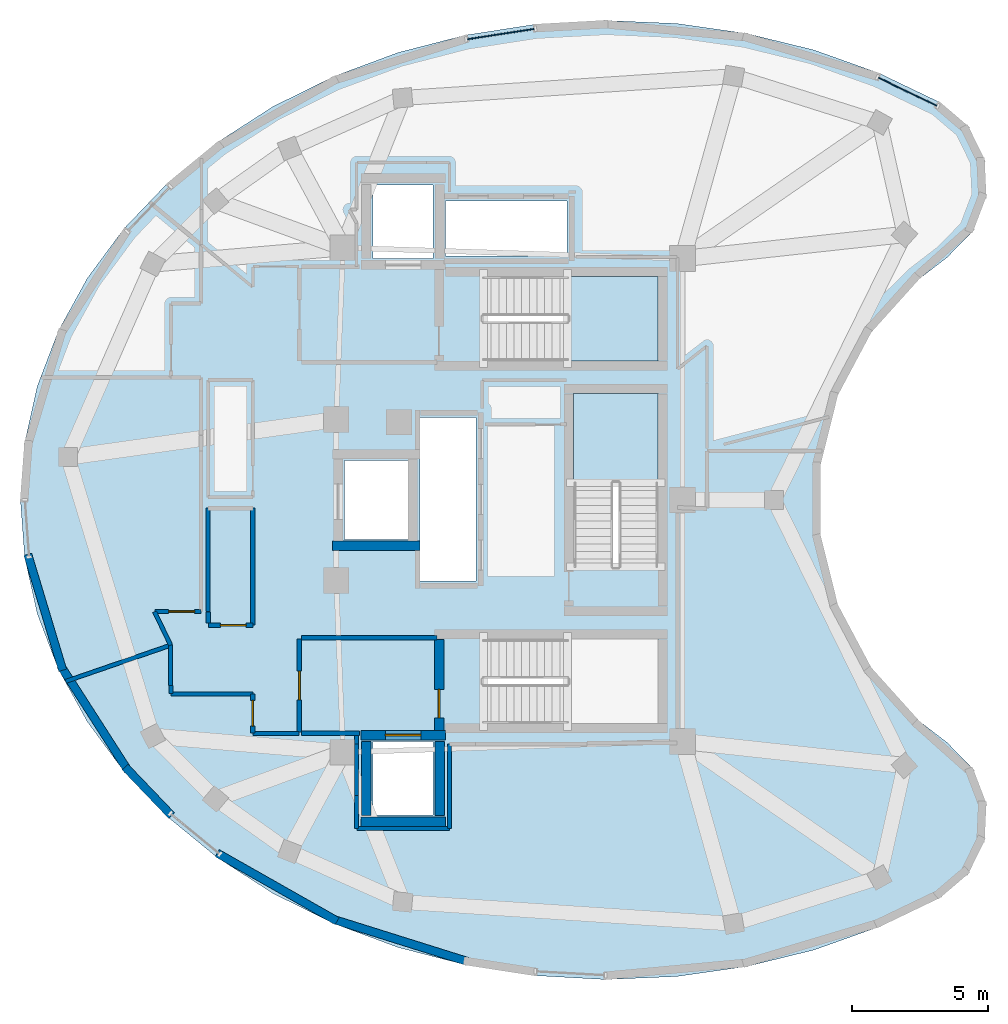
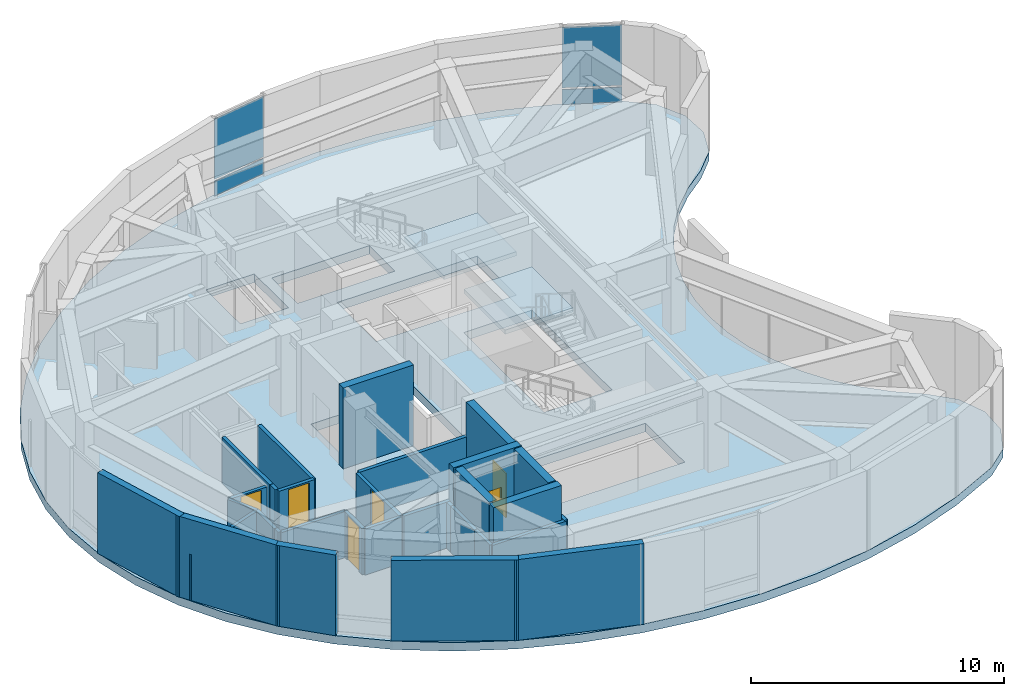
# One storey, part 3 of 8: 31 walls, 6 doors, 4 plates, 3 slabs, 6 openings, 4 elements without a shape of their own.
"""IFC4 building model written with IfcOpenShell, lengths in metres."""

from ifc_helpers import new_model, si_unit, direction, frame, frame_2d, origin, origin_2d, place, context, subcontext, project, spatial, polyline, rectangle, outline, extrude, material, layer, layer_set, type_object, element, fill, aggregate, save


model = new_model("IFC4")

# Units and contexts
model_context = context("Model", 3, precision=1e-05, world=origin(), true_north=direction((0.0, 1.0)))
body_context = subcontext(model_context, "Body", "Model", "MODEL_VIEW")
ifc_project = project(units=[si_unit("LENGTHUNIT", "METRE"), si_unit("AREAUNIT", "SQUARE_METRE"), si_unit("VOLUMEUNIT", "CUBIC_METRE"), si_unit("PLANEANGLEUNIT", "RADIAN"), si_unit("MASSUNIT", "GRAM", prefix="KILO")], contexts=[model_context])

# Site, building, storey
site_placement = place(None, origin())
site = spatial("IfcSite", under=ifc_project, at=site_placement, CompositionType="ELEMENT")
building_placement = place(site_placement, origin())
building = spatial("IfcBuilding", under=site, at=building_placement, Name="Korentha Bioscience Tower", CompositionType="ELEMENT")
storey_placement = place(building_placement, frame((0.0, 0.0, 322.800048828125)))
storey = spatial("IfcBuildingStorey", under=building, at=storey_placement, Name="L74", CompositionType="ELEMENT", Elevation=322.800048828125)

# Curtain wall, plates
ifc_material_1 = material(Name="Structural Silicone Glazed Aluminium", Category="aluminium")
ifc_layer_1 = layer(ifc_material_1, 0.219970703125, Name="Structural Silicone Glazed Aluminium")
ifc_layer_set_1 = layer_set([ifc_layer_1], Name="Structural Silicone Glazed Aluminium (CW-O1)")
curtain_wall_type = type_object("IfcCurtainWallType", Name="Sky Observatory Acoustic Curtain Wall CW-O1", PredefinedType="USERDEFINED", material=ifc_layer_set_1)
curtain_wall_1_placement = place(storey_placement, origin())
curtain_wall_1 = element("IfcCurtainWall", 1, at=curtain_wall_1_placement, inside=storey, type_object=curtain_wall_type, Name="L74 Curtain Wall 01", ObjectType="UNITISED", PredefinedType="USERDEFINED")
ifc_material_2 = material(Name="Triple-Glazed Low-E Insulated Glass", Category="glass")
ifc_layer_2 = layer(ifc_material_2, 0.0439453125, Name="Triple-Glazed Low-E Insulated Glass")
ifc_layer_set_2 = layer_set([ifc_layer_2], Name="Triple-Glazed Low-E Insulated Glass (GL-44)")
plate_type = type_object("IfcPlateType", Name="Glazed Panel 44mm", PredefinedType="CURTAIN_PANEL", material=ifc_layer_set_2)
plate_1_placement = place(storey_placement, frame((45.800048828125, 41.968994140625, 0.08984375), z_axis=(0.0, 0.0, 1.0), x_axis=(-0.901523666525, 0.432729798714, 0.0)))
plate_1 = element("IfcPlate", 2, at=plate_1_placement, type_object=plate_type, Name="CW-L74-01 Bay 1 Glazed Panel 1", PredefinedType="CURTAIN_PANEL", context=body_context, shape_type="SweptSolid", body=[
    extrude(rectangle(XDim=2.382080078125, YDim=0.0439453125, at=origin_2d()), origin(), (0.0, 0.0, 1.0), 0.715087890625),
])
plate_2_placement = place(storey_placement, frame((45.800048828125, 41.968994140625, 0.89501953125), z_axis=(0.0, 0.0, 1.0), x_axis=(-0.901523666525, 0.432729798714, 0.0)))
plate_2 = element("IfcPlate", 3, at=plate_2_placement, type_object=plate_type, Name="CW-L74-01 Bay 1 Glazed Panel 2", PredefinedType="CURTAIN_PANEL", context=body_context, shape_type="SweptSolid", body=[
    extrude(rectangle(XDim=2.382080078125, YDim=0.0439453125, at=origin_2d()), origin(), (0.0, 0.0, 1.0), 2.9150390625),
])
aggregate(curtain_wall_1, [plate_1, plate_2])

curtain_wall_2_placement = place(storey_placement, origin())
curtain_wall_2 = element("IfcCurtainWall", 4, at=curtain_wall_2_placement, inside=storey, type_object=curtain_wall_type, Name="L74 Curtain Wall 07", ObjectType="UNITISED", PredefinedType="USERDEFINED")
plate_3_placement = place(storey_placement, frame((30.884033203125, 44.08251953125, 0.08984375), z_axis=(0.0, 0.0, 1.0), x_axis=(-0.988233672414, -0.152951654805, 0.0)))
plate_3 = element("IfcPlate", 5, at=plate_3_placement, type_object=plate_type, Name="CW-L74-07 Bay 1 Glazed Panel 1", PredefinedType="CURTAIN_PANEL", context=body_context, shape_type="SweptSolid", body=[
    extrude(rectangle(XDim=2.48291015625, YDim=0.0439453125, at=origin_2d()), origin(), (0.0, 0.0, 1.0), 0.715087890625),
])
plate_4_placement = place(storey_placement, frame((30.884033203125, 44.08251953125, 0.89501953125), z_axis=(0.0, 0.0, 1.0), x_axis=(-0.988233672414, -0.152951654805, 0.0)))
plate_4 = element("IfcPlate", 6, at=plate_4_placement, type_object=plate_type, Name="CW-L74-07 Bay 1 Glazed Panel 2", PredefinedType="CURTAIN_PANEL", context=body_context, shape_type="SweptSolid", body=[
    extrude(rectangle(XDim=2.48291015625, YDim=0.0439453125, at=origin_2d()), origin(), (0.0, 0.0, 1.0), 2.9150390625),
])
aggregate(curtain_wall_2, [plate_3, plate_4])

# Slab
ifc_material_3 = material(Name="Concrete C65", Category="concrete")
ifc_layer_3 = layer(ifc_material_3, 0.409912109375, Name="Concrete C65")
ifc_layer_set_3 = layer_set([ifc_layer_3], Name="Concrete C65 (SL-L410)")
slab_type_1 = type_object("IfcSlabType", Name="Heavy Vibration-Controlled Lab Slab 410", PredefinedType="FLOOR", material=ifc_layer_set_3)
slab_1_placement = place(storey_placement, frame((0.0, 0.0, -0.41015625)))
element("IfcSlab", 7, at=slab_1_placement, inside=storey, type_object=slab_type_1, Name="L74 Tower Structural Floor Slab", PredefinedType="FLOOR", context=body_context, shape_type="SweptSolid", body=[
    extrude(outline(polyline([(46.988037109375, 41.576171875), (44.75048828125, 42.650146484375), (42.37060546875, 43.498291015625), (39.8828125, 44.108154296875), (37.322998046875, 44.470947265625), (34.728271484375, 44.58154296875), (32.135986328125, 44.438232421875), (29.583251953125, 44.043212890625), (27.107421875, 43.402099609375), (24.744140625, 42.52392578125), (22.52734375, 41.421875), (20.4892578125, 40.111572265625), (18.658935546875, 38.61181640625), (17.063232421875, 36.944580078125), (15.72509765625, 35.133544921875), (14.66357421875, 33.205078125), (13.894287109375, 31.187255859375), (13.427978515625, 29.10888671875), (13.27197265625, 27.0), (13.427978515625, 24.89111328125), (13.894287109375, 22.812744140625), (14.66357421875, 20.794921875), (15.72509765625, 18.866455078125), (17.063232421875, 17.055419921875), (18.658935546875, 15.38818359375), (20.4892578125, 13.888427734375), (22.52734375, 12.578125), (24.744140625, 11.47607421875), (27.107421875, 10.597900390625), (29.583251953125, 9.956787109375), (32.135986328125, 9.561767578125), (34.728271484375, 9.41845703125), (37.322998046875, 9.529052734375), (39.8828125, 9.891845703125), (42.37060546875, 10.501708984375), (44.75048828125, 11.349853515625), (46.988037109375, 12.423828125), (48.018310546875, 13.302734375), (48.61376953125, 14.519287109375), (48.67578125, 15.8720703125), (48.1943359375, 17.137939453125), (47.2490234375, 18.107666015625), (46.2099609375, 18.90478515625), (45.27587890625, 19.822998046875), (44.460693359375, 20.847900390625), (43.7763671875, 21.96435546875), (43.2333984375, 23.156005859375), (42.839599609375, 24.405029296875), (42.600830078125, 25.69287109375), (42.52099609375, 27.0), (42.600830078125, 28.30712890625), (42.839599609375, 29.594970703125), (43.2333984375, 30.843994140625), (43.7763671875, 32.03564453125), (44.460693359375, 33.152099609375), (45.27587890625, 34.177001953125), (46.2099609375, 35.09521484375), (47.2490234375, 35.892333984375), (48.1943359375, 36.862060546875), (48.67578125, 38.1279296875), (48.61376953125, 39.480712890625), (48.018310546875, 40.697265625), (46.988037109375, 41.576171875)]), holes=[polyline([(30.25, 32.10009765625), (36.64990234375, 32.10009765625), (36.64990234375, 35.199951171875), (30.25, 35.199951171875), (30.25, 32.10009765625)]), polyline([(30.25, 18.800048828125), (36.64990234375, 18.800048828125), (36.64990234375, 21.89990234375), (30.25, 21.89990234375), (30.25, 18.800048828125)]), polyline([(36.64990234375, 24.550048828125), (36.64990234375, 30.89990234375), (33.550048828125, 30.89990234375), (33.550048828125, 24.550048828125), (36.64990234375, 24.550048828125)]), polyline([(27.929931640625, 24.030029296875), (29.969970703125, 24.030029296875), (29.969970703125, 30.02001953125), (27.929931640625, 30.02001953125), (27.929931640625, 24.030029296875)]), polyline([(28.860107421875, 35.93994140625), (33.31005859375, 35.93994140625), (33.31005859375, 37.9599609375), (28.860107421875, 37.9599609375), (28.860107421875, 35.93994140625)]), polyline([(26.199951171875, 15.449951171875), (28.39990234375, 15.449951171875), (28.39990234375, 18.14990234375), (26.199951171875, 18.14990234375), (26.199951171875, 15.449951171875)]), polyline([(26.199951171875, 35.85009765625), (28.39990234375, 35.85009765625), (28.39990234375, 38.550048828125), (26.199951171875, 38.550048828125), (26.199951171875, 35.85009765625)]), polyline([(25.14990234375, 25.550048828125), (27.550048828125, 25.550048828125), (27.550048828125, 28.449951171875), (25.14990234375, 28.449951171875), (25.14990234375, 25.550048828125)])]), origin(), (0.0, 0.0, 1.0), 0.41015625),
])

# Stair, slab
ifc_material_4 = material(Name="Precast Concrete C50", Category="concrete")
stair_type = type_object("IfcStairType", Name="Core Exit Dog-Leg Stair 1450", PredefinedType="HALF_TURN_STAIR", material=ifc_material_4)
stair_1_placement = place(storey_placement, origin())
stair_1 = element("IfcStair", 8, at=stair_1_placement, inside=storey, type_object=stair_type, Name="L74 Tower North Pressurized Exit Stair ST-1", PredefinedType="HALF_TURN_STAIR")
ifc_material_5 = material(Name="Concrete C50", Category="concrete")
ifc_layer_4 = layer(ifc_material_5, 0.199951171875, Name="Concrete C50")
ifc_layer_set_4 = layer_set([ifc_layer_4], Name="Concrete C50 (SL-LND)")
slab_type_2 = type_object("IfcSlabType", Name="Landing Slab 200", PredefinedType="LANDING", material=ifc_layer_set_4)
slab_2_placement = place(storey_placement, frame((0.0, 0.0, 1.89990234375)))
slab_2 = element("IfcSlab", 9, at=slab_2_placement, type_object=slab_type_2, Name="ST-1 landing 1", PredefinedType="LANDING", context=body_context, shape_type="SweptSolid", body=[
    extrude(outline(polyline([(33.330078125, 32.10009765625), (36.64990234375, 32.10009765625), (36.64990234375, 35.199951171875), (33.330078125, 35.199951171875), (33.330078125, 32.10009765625)])), origin(), (0.0, 0.0, 1.0), 0.199951171875),
])
aggregate(stair_1, [slab_2])

stair_2_placement = place(storey_placement, origin())
stair_2 = element("IfcStair", 10, at=stair_2_placement, inside=storey, type_object=stair_type, Name="L74 Tower Central Pressurized Exit Stair ST-3", PredefinedType="HALF_TURN_STAIR")
slab_3_placement = place(storey_placement, frame((0.0, 0.0, 1.89990234375)))
slab_3 = element("IfcSlab", 11, at=slab_3_placement, type_object=slab_type_2, Name="ST-3 landing 1", PredefinedType="LANDING", context=body_context, shape_type="SweptSolid", body=[
    extrude(outline(polyline([(36.64990234375, 27.6298828125), (36.64990234375, 30.89990234375), (33.550048828125, 30.89990234375), (33.550048828125, 27.6298828125), (36.64990234375, 27.6298828125)])), origin(), (0.0, 0.0, 1.0), 0.199951171875),
])
aggregate(stair_2, [slab_3])

# Wall, opening, door
ifc_material_6 = material(Name="Double-Stud Acoustic Gypsum", Category="gypsum")
ifc_layer_5 = layer(ifc_material_6, 0.14990234375, Name="Double-Stud Acoustic Gypsum")
ifc_layer_set_5 = layer_set([ifc_layer_5], Name="Double-Stud Acoustic Gypsum (IW-L150)")
wall_type_1 = type_object("IfcWallType", Name="Acoustic Laboratory Partition Wall 150", PredefinedType="PARTITIONING", material=ifc_layer_set_5)
wall_1_placement = place(storey_placement, frame((21.7900390625, 19.889892578125, 0.0), z_axis=(0.0, 0.0, 1.0), x_axis=(0.0, -1.0, 0.0)))
wall_1 = element("IfcWall", 12, at=wall_1_placement, inside=storey, type_object=wall_type_1, Name="L74 Biomechanical Motion Analysis Lab 01 Entrance Wall", PredefinedType="PARTITIONING", context=body_context, shape_type="SweptSolid", body=[
    extrude(rectangle(XDim=1.43994140625, YDim=0.14990234375, at=frame_2d((0.719970703125, 0.0))), origin(), (0.0, 0.0, 1.0), 2.219970703125),
])
opening_1_placement = place(wall_1_placement, frame((0.235107421875, 0.0, 0.0)))
opening_1 = element("IfcOpeningElement", 13, at=opening_1_placement, cuts=wall_1, Name="Opening ID-10R", PredefinedType="OPENING", context=body_context, shape_type="SweptSolid", body=[
    extrude(rectangle(XDim=0.949951171875, YDim=2.14990234375, at=frame_2d((0.47509765625, 1.074951171875))), frame((0.0, 0.08984375, 0.0), z_axis=(0.0, -1.0, 0.0), x_axis=(1.0, 0.0, 0.0)), (0.0, 0.0, 1.0), 0.1796875),
])
ifc_material_7 = material(Name="Phenolic Laminate Timber Core", Category="wood")
door_type_1 = type_object("IfcDoorType", Name="Laboratory Single Leaf Door 950x2150 Right", OperationType="SINGLE_SWING_RIGHT", PredefinedType="DOOR", material=ifc_material_7)
door_1_placement = place(opening_1_placement, origin())
door_1 = element("IfcDoor", 14, at=door_1_placement, inside=storey, type_object=door_type_1, Name="L74 Biomechanical Motion Analysis Lab 01 Door", OperationType="SINGLE_SWING_RIGHT", OverallHeight=2.14990234375, OverallWidth=0.949951171875, PredefinedType="DOOR", context=body_context, shape_type="SweptSolid", body=[
    extrude(rectangle(XDim=0.949951171875, YDim=2.14990234375, at=frame_2d((0.47509765625, 1.074951171875))), frame((0.0, 0.02490234375, 0.0), z_axis=(0.0, -1.0, 0.0), x_axis=(1.0, 0.0, 0.0)), (0.0, 0.0, 1.0), 0.050048828125),
])
fill(opening_1, door_1)

wall_2_placement = place(storey_placement, frame((19.89794921875, 22.909912109375, 0.0), z_axis=(0.0, 0.0, 1.0), x_axis=(-1.0, 0.0, 0.0)))
wall_2 = element("IfcWall", 15, at=wall_2_placement, inside=storey, type_object=wall_type_1, Name="L74 Research Colloquium Seminar Room 03 Entrance Wall", PredefinedType="PARTITIONING", context=body_context, shape_type="SweptSolid", body=[
    extrude(rectangle(XDim=1.697998046875, YDim=0.14990234375, at=frame_2d((0.84912109375, 0.0))), origin(), (0.0, 0.0, 1.0), 2.219970703125),
])
opening_2_placement = place(wall_2_placement, frame((0.239990234375, 0.0, 0.0)))
opening_2 = element("IfcOpeningElement", 16, at=opening_2_placement, cuts=wall_2, Name="Opening ID-10R", PredefinedType="OPENING", context=body_context, shape_type="SweptSolid", body=[
    extrude(rectangle(XDim=0.949951171875, YDim=2.14990234375, at=frame_2d((0.47509765625, 1.074951171875))), frame((0.0, 0.08984375, 0.0), z_axis=(0.0, -1.0, 0.0), x_axis=(1.0, 0.0, 0.0)), (0.0, 0.0, 1.0), 0.1796875),
])
door_2_placement = place(opening_2_placement, origin())
door_2 = element("IfcDoor", 17, at=door_2_placement, inside=storey, type_object=door_type_1, Name="L74 Research Colloquium Seminar Room 03 Door", OperationType="SINGLE_SWING_RIGHT", OverallHeight=2.14990234375, OverallWidth=0.949951171875, PredefinedType="DOOR", context=body_context, shape_type="SweptSolid", body=[
    extrude(rectangle(XDim=0.949951171875, YDim=2.14990234375, at=frame_2d((0.47509765625, 1.074951171875))), frame((0.0, 0.02490234375, 0.0), z_axis=(0.0, -1.0, 0.0), x_axis=(1.0, 0.0, 0.0)), (0.0, 0.0, 1.0), 0.050048828125),
])
fill(opening_2, door_2)

# Walls
wall_3_placement = place(storey_placement, frame((14.93359375, 20.349609375, 0.0), z_axis=(0.0, 0.0, 1.0), x_axis=(0.945331527332, 0.326110875979, 0.0)))
element("IfcWall", 18, at=wall_3_placement, inside=storey, type_object=wall_type_1, Name="L74 Interior Partition 018", PredefinedType="PARTITIONING", context=body_context, shape_type="SweptSolid", body=[
    extrude(rectangle(XDim=4.06884765625, YDim=0.14990234375, at=frame_2d((2.034423828125, 0.0))), origin(), (0.0, 0.0, 1.0), 2.219970703125),
])
wall_4_placement = place(storey_placement, frame((18.780029296875, 21.676513671875, 0.0), z_axis=(0.0, 0.0, 1.0), x_axis=(0.0, -1.0, 0.0)))
element("IfcWall", 19, at=wall_4_placement, inside=storey, type_object=wall_type_1, Name="L74 Interior Partition 019", PredefinedType="PARTITIONING", context=body_context, shape_type="SweptSolid", body=[
    extrude(rectangle(XDim=1.4765625, YDim=0.14990234375, at=frame_2d((0.73828125, 0.0))), origin(), (0.0, 0.0, 1.0), 2.219970703125),
])
wall_5_placement = place(storey_placement, frame((18.7900390625, 20.18994140625, 0.0), z_axis=(0.0, 0.0, 1.0), x_axis=(0.0, -1.0, 0.0)))
element("IfcWall", 20, at=wall_5_placement, inside=storey, type_object=wall_type_1, Name="L74 Interior Partition 021", PredefinedType="PARTITIONING", context=body_context, shape_type="SweptSolid", body=[
    extrude(rectangle(XDim=0.2900390625, YDim=0.14990234375, at=frame_2d((0.14501953125, 0.0))), origin(), (0.0, 0.0, 1.0), 2.219970703125),
])
wall_6_placement = place(storey_placement, frame((18.800048828125, 19.889892578125, 0.0), z_axis=(0.0, 0.0, 1.0), x_axis=(1.0, 0.0, 0.0)))
element("IfcWall", 21, at=wall_6_placement, inside=storey, type_object=wall_type_1, Name="L74 Interior Partition 022", PredefinedType="PARTITIONING", context=body_context, shape_type="SweptSolid", body=[
    extrude(rectangle(XDim=2.989990234375, YDim=0.14990234375, at=frame_2d((1.4951171875, 0.0))), origin(), (0.0, 0.0, 1.0), 2.219970703125),
])
wall_7_placement = place(storey_placement, frame((21.800048828125, 18.43994140625, 0.0), z_axis=(0.0, 0.0, 1.0), x_axis=(1.0, 0.0, 0.0)))
element("IfcWall", 22, at=wall_7_placement, inside=storey, type_object=wall_type_1, Name="L74 Interior Partition 023", PredefinedType="PARTITIONING", context=body_context, shape_type="SweptSolid", body=[
    extrude(rectangle(XDim=1.68994140625, YDim=0.14990234375, at=frame_2d((0.844970703125, 0.0))), origin(), (0.0, 0.0, 1.0), 2.219970703125),
])
wall_8_placement = place(storey_placement, frame((25.60009765625, 18.366943359375, 0.0), z_axis=(0.0, 0.0, 1.0), x_axis=(0.0, -1.0, 0.0)))
element("IfcWall", 23, at=wall_8_placement, inside=storey, type_object=wall_type_1, Name="L74 Interior Partition 024", PredefinedType="PARTITIONING", context=body_context, shape_type="SweptSolid", body=[
    extrude(rectangle(XDim=0.314697265625, YDim=0.14990234375, at=frame_2d((0.1572265625, 0.0))), origin(), (0.0, 0.0, 1.0), 2.219970703125),
])
wall_9_placement = place(storey_placement, frame((25.60009765625, 18.0478515625, 0.0), z_axis=(0.0, 0.0, 1.0), x_axis=(0.0, -1.0, 0.0)))
element("IfcWall", 24, at=wall_9_placement, inside=storey, type_object=wall_type_1, Name="L74 Interior Partition 025", PredefinedType="PARTITIONING", context=body_context, shape_type="SweptSolid", body=[
    extrude(rectangle(XDim=1.878662109375, YDim=0.14990234375, at=frame_2d((0.939453125, 0.0))), origin(), (0.0, 0.0, 1.0), 2.219970703125),
])
wall_10_placement = place(storey_placement, frame((25.60009765625, 16.160400390625, 0.0), z_axis=(0.0, 0.0, 1.0), x_axis=(0.0, -1.0, 0.0)))
element("IfcWall", 25, at=wall_10_placement, inside=storey, type_object=wall_type_1, Name="L74 Interior Partition 026", PredefinedType="PARTITIONING", context=body_context, shape_type="SweptSolid", body=[
    extrude(rectangle(XDim=1.206298828125, YDim=0.14990234375, at=frame_2d((0.60302734375, 0.0))), origin(), (0.0, 0.0, 1.0), 2.219970703125),
])
wall_11_placement = place(storey_placement, frame((25.604248046875, 14.949951171875, 0.0), z_axis=(0.0, 0.0, 1.0), x_axis=(1.0, 0.0, 0.0)))
element("IfcWall", 26, at=wall_11_placement, inside=storey, type_object=wall_type_1, Name="L74 Interior Partition 027", PredefinedType="PARTITIONING", context=body_context, shape_type="SweptSolid", body=[
    extrude(rectangle(XDim=3.3916015625, YDim=0.14990234375, at=frame_2d((1.69580078125, 0.0))), origin(), (0.0, 0.0, 1.0), 2.219970703125),
])
wall_12_placement = place(storey_placement, frame((29.0, 14.9541015625, 0.0), z_axis=(0.0, 0.0, 1.0), x_axis=(0.0, 1.0, 0.0)))
element("IfcWall", 27, at=wall_12_placement, inside=storey, type_object=wall_type_1, Name="L74 Interior Partition 028", PredefinedType="PARTITIONING", context=body_context, shape_type="SweptSolid", body=[
    extrude(rectangle(XDim=3.09375, YDim=0.14990234375, at=frame_2d((1.546875, 0.0))), origin(), (0.0, 0.0, 1.0), 2.219970703125),
])
wall_13_placement = place(storey_placement, frame((18.18994140625, 22.89990234375, 0.0), z_axis=(0.0, 0.0, 1.0), x_axis=(0.434442417688, -0.900699609034, 0.0)))
element("IfcWall", 28, at=wall_13_placement, inside=storey, type_object=wall_type_1, Name="L74 Interior Partition 059", PredefinedType="PARTITIONING", context=body_context, shape_type="SweptSolid", body=[
    extrude(rectangle(XDim=1.358154296875, YDim=0.14990234375, at=frame_2d((0.67919921875, 0.0))), origin(), (0.0, 0.0, 1.0), 2.219970703125),
])

# Wall, opening, door
ifc_material_8 = material(Name="Gypsum-Clad Steel Stud", Category="steel")
ifc_layer_6 = layer(ifc_material_8, 0.159912109375, Name="Gypsum-Clad Steel Stud")
ifc_layer_set_6 = layer_set([ifc_layer_6], Name="Gypsum-Clad Steel Stud (IW-C160)")
wall_type_2 = type_object("IfcWallType", Name="Fire-Rated Corridor Partition Wall 160", PredefinedType="PARTITIONING", material=ifc_layer_set_6)
wall_14_placement = place(storey_placement, frame((23.5, 18.5, 0.0), z_axis=(0.0, 0.0, 1.0), x_axis=(0.0, 1.0, 0.0)))
wall_14 = element("IfcWall", 29, at=wall_14_placement, inside=storey, type_object=wall_type_2, Name="L74 FFLS-CW Rated Enclosure Wall", PredefinedType="PARTITIONING", context=body_context, shape_type="SweptSolid", body=[
    extrude(rectangle(XDim=3.39990234375, YDim=0.159912109375, at=frame_2d((1.699951171875, 0.0))), origin(), (0.0, 0.0, 1.0), 2.219970703125),
])
opening_3_placement = place(wall_14_placement, frame((1.175048828125, 0.0, 0.0)))
opening_3 = element("IfcOpeningElement", 30, at=opening_3_placement, cuts=wall_14, Name="Opening FD-90L", PredefinedType="OPENING", context=body_context, shape_type="SweptSolid", body=[
    extrude(rectangle(XDim=1.050048828125, YDim=2.14990234375, at=frame_2d((0.52490234375, 1.074951171875))), frame((0.0, 0.0947265625, 0.0), z_axis=(0.0, -1.0, 0.0), x_axis=(1.0, 0.0, 0.0)), (0.0, 0.0, 1.0), 0.189697265625),
])
ifc_material_9 = material(Name="Powder-Coated Fire-Rated Steel", Category="steel")
door_type_2 = type_object("IfcDoorType", Name="Stairwell Fire Exit Door 1050x2150 Left", OperationType="SINGLE_SWING_LEFT", PredefinedType="DOOR", material=ifc_material_9)
door_3_placement = place(opening_3_placement, origin())
door_3 = element("IfcDoor", 31, at=door_3_placement, inside=storey, type_object=door_type_2, Name="L74 South Firefighting Lobby Door", OperationType="SINGLE_SWING_LEFT", OverallHeight=2.14990234375, OverallWidth=1.050048828125, PredefinedType="DOOR", context=body_context, shape_type="SweptSolid", body=[
    extrude(rectangle(XDim=1.050048828125, YDim=2.14990234375, at=frame_2d((0.52490234375, 1.074951171875))), frame((0.0, 0.02490234375, 0.0), z_axis=(0.0, -1.0, 0.0), x_axis=(1.0, 0.0, 0.0)), (0.0, 0.0, 1.0), 0.050048828125),
])
fill(opening_3, door_3)

# Walls
wall_15_placement = place(storey_placement, frame((23.580078125, 21.949951171875, 0.0), z_axis=(0.0, 0.0, 1.0), x_axis=(1.0, 0.0, 0.0)))
element("IfcWall", 32, at=wall_15_placement, inside=storey, type_object=wall_type_2, Name="L74 Firefighting Lobby Return Wall FFLS-N", PredefinedType="PARTITIONING", context=body_context, shape_type="SweptSolid", body=[
    extrude(rectangle(XDim=4.969970703125, YDim=0.159912109375, at=frame_2d((2.48486328125, 0.0))), origin(), (0.0, 0.0, 1.0), 2.219970703125),
])
wall_16_placement = place(storey_placement, frame((23.580078125, 18.449951171875, 0.0), z_axis=(0.0, 0.0, 1.0), x_axis=(1.0, 0.0, 0.0)))
element("IfcWall", 33, at=wall_16_placement, inside=storey, type_object=wall_type_2, Name="L74 Firefighting Lobby Return Wall FFLS-S", PredefinedType="PARTITIONING", context=body_context, shape_type="SweptSolid", body=[
    extrude(rectangle(XDim=2.119873046875, YDim=0.159912109375, at=frame_2d((1.06005859375, 0.0))), origin(), (0.0, 0.0, 1.0), 2.219970703125),
])

# Wall, opening, door
wall_17_placement = place(storey_placement, frame((21.7900390625, 22.409912109375, 0.0), z_axis=(0.0, 0.0, 1.0), x_axis=(-1.0, 0.0, 0.0)))
wall_17 = element("IfcWall", 34, at=wall_17_placement, inside=storey, type_object=wall_type_2, Name="L74 Reclaimed Bank-2 Electrical Switchgear Store Entrance Wall", PredefinedType="PARTITIONING", context=body_context, shape_type="SweptSolid", body=[
    extrude(rectangle(XDim=1.630126953125, YDim=0.159912109375, at=frame_2d((0.81494140625, 0.0))), origin(), (0.0, 0.0, 1.0), 2.219970703125),
])
opening_4_placement = place(wall_17_placement, frame((0.239990234375, 0.0, 0.0)))
opening_4 = element("IfcOpeningElement", 35, at=opening_4_placement, cuts=wall_17, Name="Opening ID-10R", PredefinedType="OPENING", context=body_context, shape_type="SweptSolid", body=[
    extrude(rectangle(XDim=0.949951171875, YDim=2.14990234375, at=frame_2d((0.47509765625, 1.074951171875))), frame((0.0, 0.0947265625, 0.0), z_axis=(0.0, -1.0, 0.0), x_axis=(1.0, 0.0, 0.0)), (0.0, 0.0, 1.0), 0.189697265625),
])
door_4_placement = place(opening_4_placement, origin())
door_4 = element("IfcDoor", 36, at=door_4_placement, inside=storey, type_object=door_type_1, Name="L74 Reclaimed Bank-2 Electrical Switchgear Store Door", OperationType="SINGLE_SWING_RIGHT", OverallHeight=2.14990234375, OverallWidth=0.949951171875, PredefinedType="DOOR", context=body_context, shape_type="SweptSolid", body=[
    extrude(rectangle(XDim=0.949951171875, YDim=2.14990234375, at=frame_2d((0.47509765625, 1.074951171875))), frame((0.0, 0.02490234375, 0.0), z_axis=(0.0, -1.0, 0.0), x_axis=(1.0, 0.0, 0.0)), (0.0, 0.0, 1.0), 0.050048828125),
])
fill(opening_4, door_4)

# Walls
wall_18_placement = place(storey_placement, frame((21.7900390625, 26.699951171875, 0.0), z_axis=(0.0, 0.0, 1.0), x_axis=(0.0, -1.0, 0.0)))
element("IfcWall", 37, at=wall_18_placement, inside=storey, type_object=wall_type_2, Name="L74 Interior Partition 011", PredefinedType="PARTITIONING", context=body_context, shape_type="SweptSolid", body=[
    extrude(rectangle(XDim=4.2900390625, YDim=0.159912109375, at=frame_2d((2.14501953125, 0.0))), origin(), (0.0, 0.0, 1.0), 2.219970703125),
])
wall_19_placement = place(storey_placement, frame((20.159912109375, 22.492919921875, 0.0), z_axis=(0.0, 0.0, 1.0), x_axis=(0.0, 1.0, 0.0)))
element("IfcWall", 38, at=wall_19_placement, inside=storey, type_object=wall_type_2, Name="L74 Interior Partition 012", PredefinedType="PARTITIONING", context=body_context, shape_type="SweptSolid", body=[
    extrude(rectangle(XDim=0.406982421875, YDim=0.159912109375, at=frame_2d((0.20361328125, 0.0))), origin(), (0.0, 0.0, 1.0), 2.219970703125),
])
wall_20_placement = place(storey_placement, frame((20.14990234375, 22.909912109375, 0.0), z_axis=(0.0, 0.0, 1.0), x_axis=(0.0, 1.0, 0.0)))
element("IfcWall", 39, at=wall_20_placement, inside=storey, type_object=wall_type_2, Name="L74 Interior Partition 013", PredefinedType="PARTITIONING", context=body_context, shape_type="SweptSolid", body=[
    extrude(rectangle(XDim=3.7900390625, YDim=0.159912109375, at=frame_2d((1.89501953125, 0.0))), origin(), (0.0, 0.0, 1.0), 2.219970703125),
])
ifc_material_10 = material(Name="Honed Limestone Precast Concrete C40", Category="masonry")
ifc_layer_7 = layer(ifc_material_10, 0.300048828125, Name="Honed Limestone Precast Concrete C40")
ifc_layer_set_7 = layer_set([ifc_layer_7], Name="Honed Limestone Precast Concrete C40 (EW-ST300)")
wall_type_3 = type_object("IfcWallType", Name="Honed Limestone Cavity Spandrel Wall 300", PredefinedType="STANDARD", material=ifc_layer_set_7)
wall_21_placement = place(storey_placement, frame((13.5390625, 25.008056640625, 0.0), z_axis=(0.0, 0.0, 1.0), x_axis=(0.288720187326, -0.95741352269, 0.0)))
element("IfcWall", 40, at=wall_21_placement, inside=storey, type_object=wall_type_3, Name="L74 Limestone Perimeter Closure Wall 20", PredefinedType="STANDARD", context=body_context, shape_type="SweptSolid", body=[
    extrude(rectangle(XDim=4.4384765625, YDim=0.300048828125, at=frame_2d((2.21923828125, 0.0))), origin(), (0.0, 0.0, 1.0), 3.89990234375),
])
wall_22_placement = place(storey_placement, frame((14.738037109375, 20.937744140625, 0.0), z_axis=(0.0, 0.0, 1.0), x_axis=(0.540087262842, -0.841609023547, 0.0)))
element("IfcWall", 41, at=wall_22_placement, inside=storey, type_object=wall_type_3, Name="L74 Limestone Perimeter Closure Wall 22", PredefinedType="STANDARD", context=body_context, shape_type="SweptSolid", body=[
    extrude(rectangle(XDim=4.60302734375, YDim=0.300048828125, at=frame_2d((2.301513671875, 0.0))), origin(), (0.0, 0.0, 1.0), 3.89990234375),
])
wall_23_placement = place(storey_placement, frame((17.10888671875, 17.210205078125, 0.0), z_axis=(0.0, 0.0, 1.0), x_axis=(0.691456191778, -0.722418393213, 0.0)))
element("IfcWall", 42, at=wall_23_placement, inside=storey, type_object=wall_type_3, Name="L74 Limestone Perimeter Closure Wall 24", PredefinedType="STANDARD", context=body_context, shape_type="SweptSolid", body=[
    extrude(rectangle(XDim=2.468017578125, YDim=0.300048828125, at=frame_2d((1.23388671875, 0.0))), origin(), (0.0, 0.0, 1.0), 3.89990234375),
])
wall_24_placement = place(storey_placement, frame((20.48876953125, 14.0498046875, 0.0), z_axis=(0.0, 0.0, 1.0), x_axis=(0.869895003659, -0.493236943679, 0.0)))
element("IfcWall", 43, at=wall_24_placement, inside=storey, type_object=wall_type_3, Name="L74 Limestone Perimeter Closure Wall 26", PredefinedType="STANDARD", context=body_context, shape_type="SweptSolid", body=[
    extrude(rectangle(XDim=5.05126953125, YDim=0.300048828125, at=frame_2d((2.525634765625, 0.0))), origin(), (0.0, 0.0, 1.0), 3.89990234375),
])
wall_25_placement = place(storey_placement, frame((24.709716796875, 11.633544921875, 0.0), z_axis=(0.0, 0.0, 1.0), x_axis=(0.954089764454, -0.299520819584, 0.0)))
element("IfcWall", 44, at=wall_25_placement, inside=storey, type_object=wall_type_3, Name="L74 Limestone Perimeter Closure Wall 28", PredefinedType="STANDARD", context=body_context, shape_type="SweptSolid", body=[
    extrude(rectangle(XDim=5.232177734375, YDim=0.300048828125, at=frame_2d((2.6162109375, 0.0))), origin(), (0.0, 0.0, 1.0), 3.89990234375),
])

# Wall, opening, door
ifc_layer_8 = layer(ifc_material_5, 0.35009765625, Name="Concrete C50")
ifc_layer_set_8 = layer_set([ifc_layer_8], Name="Concrete C50 (CW-C50)")
wall_type_4 = type_object("IfcWallType", Name="Upper Core Shear Wall 350", PredefinedType="SHEAR", material=ifc_layer_set_8)
wall_26_placement = place(storey_placement, frame((28.625, 18.556884765625, 0.0), z_axis=(0.0, 0.0, 1.0), x_axis=(0.0, 1.0, 0.0)))
wall_26 = element("IfcWall", 45, at=wall_26_placement, inside=storey, type_object=wall_type_4, Name="L74 Core Shear Wall ST2-W", PredefinedType="SHEAR", context=body_context, shape_type="SweptSolid", body=[
    extrude(rectangle(XDim=3.3330078125, YDim=0.35009765625, at=frame_2d((1.66650390625, 0.0))), origin(), (0.0, 0.0, 1.0), 3.89990234375),
])
opening_5_placement = place(wall_26_placement, frame((0.452880859375, 0.0, 0.0)))
opening_5 = element("IfcOpeningElement", 46, at=opening_5_placement, cuts=wall_26, Name="Opening FD-90L", PredefinedType="OPENING", context=body_context, shape_type="SweptSolid", body=[
    extrude(rectangle(XDim=1.050048828125, YDim=2.14990234375, at=frame_2d((0.52490234375, 1.074951171875))), frame((0.0, 0.18994140625, 0.0), z_axis=(0.0, -1.0, 0.0), x_axis=(1.0, 0.0, 0.0)), (0.0, 0.0, 1.0), 0.3798828125),
])
door_5_placement = place(opening_5_placement, origin())
door_5 = element("IfcDoor", 47, at=door_5_placement, inside=storey, type_object=door_type_2, Name="L74 ST-2 Fire Exit Stair Door", OperationType="SINGLE_SWING_LEFT", OverallHeight=2.14990234375, OverallWidth=1.050048828125, PredefinedType="DOOR", context=body_context, shape_type="SweptSolid", body=[
    extrude(rectangle(XDim=1.050048828125, YDim=2.14990234375, at=frame_2d((0.52490234375, 1.074951171875))), frame((0.0, 0.02490234375, 0.0), z_axis=(0.0, -1.0, 0.0), x_axis=(1.0, 0.0, 0.0)), (0.0, 0.0, 1.0), 0.050048828125),
])
fill(opening_5, door_5)

# Wall
wall_27_placement = place(storey_placement, frame((25.75, 15.199951171875, 0.0), z_axis=(0.0, 0.0, 1.0), x_axis=(1.0, 0.0, 0.0)))
element("IfcWall", 48, at=wall_27_placement, inside=storey, type_object=wall_type_4, Name="L74 Core Shear Wall FFL1-S", PredefinedType="SHEAR", context=body_context, shape_type="SweptSolid", body=[
    extrude(rectangle(XDim=3.10009765625, YDim=0.35009765625, at=frame_2d((1.550048828125, 0.0))), origin(), (0.0, 0.0, 1.0), 3.89990234375),
])

# Wall, opening, door
wall_28_placement = place(storey_placement, frame((25.75, 18.3798828125, 0.0), z_axis=(0.0, 0.0, 1.0), x_axis=(1.0, 0.0, 0.0)))
wall_28 = element("IfcWall", 49, at=wall_28_placement, inside=storey, type_object=wall_type_4, Name="L74 Core Shear Wall FFL1-N", PredefinedType="SHEAR", context=body_context, shape_type="SweptSolid", body=[
    extrude(rectangle(XDim=3.10009765625, YDim=0.35009765625, at=frame_2d((1.550048828125, 0.0))), origin(), (0.0, 0.0, 1.0), 3.89990234375),
])
opening_6_placement = place(wall_28_placement, frame((0.89990234375, 0.0, 0.0)))
opening_6 = element("IfcOpeningElement", 50, at=opening_6_placement, cuts=wall_28, Name="Opening LD-13", PredefinedType="OPENING", context=body_context, shape_type="SweptSolid", body=[
    extrude(rectangle(XDim=1.300048828125, YDim=2.199951171875, at=frame_2d((0.64990234375, 1.10009765625))), frame((0.0, 0.18994140625, 0.0), z_axis=(0.0, -1.0, 0.0), x_axis=(1.0, 0.0, 0.0)), (0.0, 0.0, 1.0), 0.3798828125),
])
ifc_material_11 = material(Name="Brushed Stainless Steel 316", Category="steel")
door_type_3 = type_object("IfcDoorType", Name="Service & Firefighting Lift Landing Door 1300x2300", OperationType="DOUBLE_DOOR_SLIDING", PredefinedType="DOOR", material=ifc_material_11)
door_6_placement = place(opening_6_placement, origin())
door_6 = element("IfcDoor", 51, at=door_6_placement, inside=storey, type_object=door_type_3, Name="L74 FFL-1 Sliding Lift Landing Door", OperationType="DOUBLE_DOOR_SLIDING", OverallHeight=2.199951171875, OverallWidth=1.300048828125, PredefinedType="DOOR", context=body_context, shape_type="SweptSolid", body=[
    extrude(rectangle(XDim=1.300048828125, YDim=2.199951171875, at=frame_2d((0.64990234375, 1.10009765625))), frame((0.0, 0.02490234375, 0.0), z_axis=(0.0, -1.0, 0.0), x_axis=(1.0, 0.0, 0.0)), (0.0, 0.0, 1.0), 0.050048828125),
])
fill(opening_6, door_6)

# Walls
for number, where, z_axis, x_axis, name in (
    (52, (25.949951171875, 15.43994140625, 0.0), (0.0, 0.0, 1.0), (0.0, 1.0, 0.0), "L74 Core Shear Wall FFL1-W"),
    (53, (28.64990234375, 15.43994140625, 0.0), (0.0, 0.0, 1.0), (0.0, 1.0, 0.0), "L74 Core Shear Wall FFL1-E"),
):
    element("IfcWall", number, at=place(storey_placement, frame(where, z_axis=z_axis, x_axis=x_axis)), inside=storey, type_object=wall_type_4, Name=name, PredefinedType="SHEAR", context=body_context, shape_type="SweptSolid", body=[
        extrude(rectangle(XDim=2.699951171875, YDim=0.35009765625, at=frame_2d((1.35009765625, 0.0))), origin(), (0.0, 0.0, 1.0), 3.89990234375),
    ])
wall_29_placement = place(storey_placement, frame((24.719970703125, 25.320068359375, 0.0), z_axis=(0.0, 0.0, 1.0), x_axis=(1.0, 0.0, 0.0)))
element("IfcWall", 54, at=wall_29_placement, inside=storey, type_object=wall_type_4, Name="L74 Core Shear Wall SVL1-S", PredefinedType="SHEAR", context=body_context, shape_type="SweptSolid", body=[
    extrude(rectangle(XDim=3.2099609375, YDim=0.35009765625, at=frame_2d((1.60498046875, 0.0))), origin(), (0.0, 0.0, 1.0), 3.89990234375),
])

save(model, "model.ifc")
